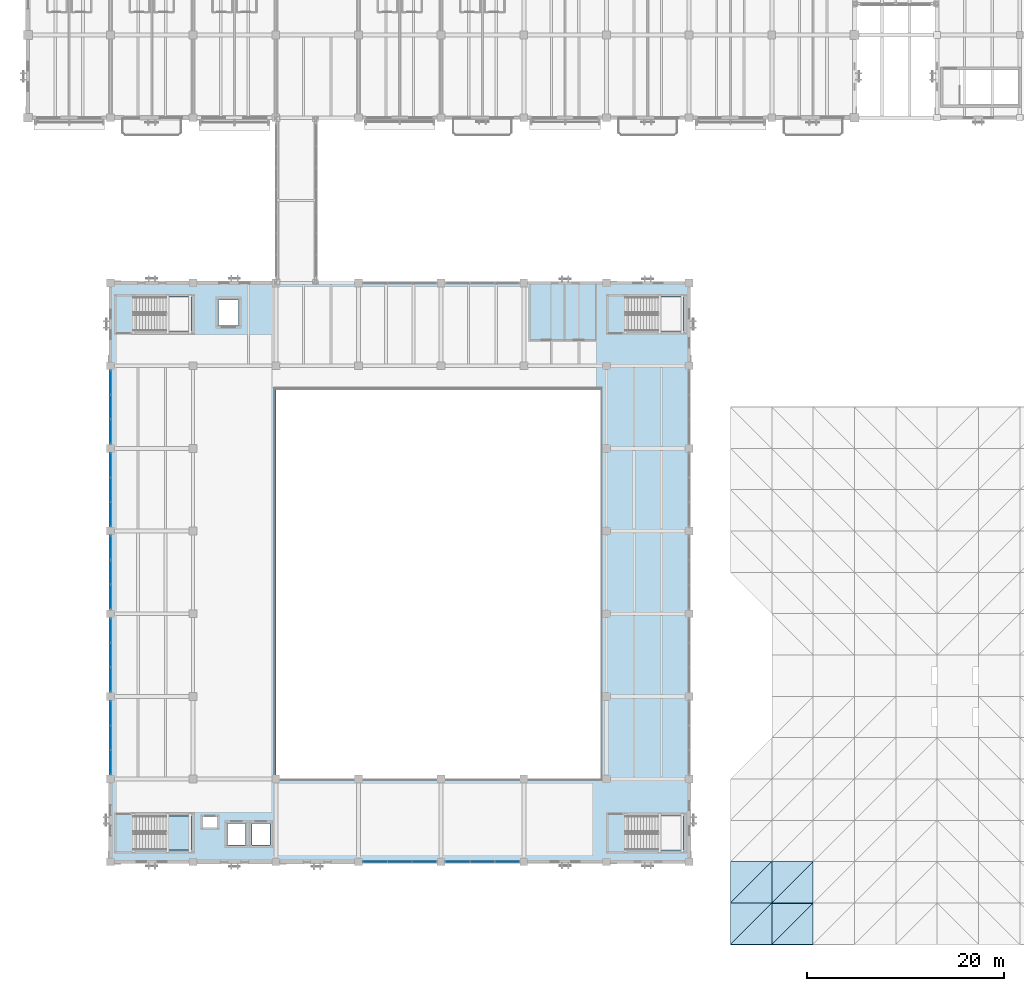
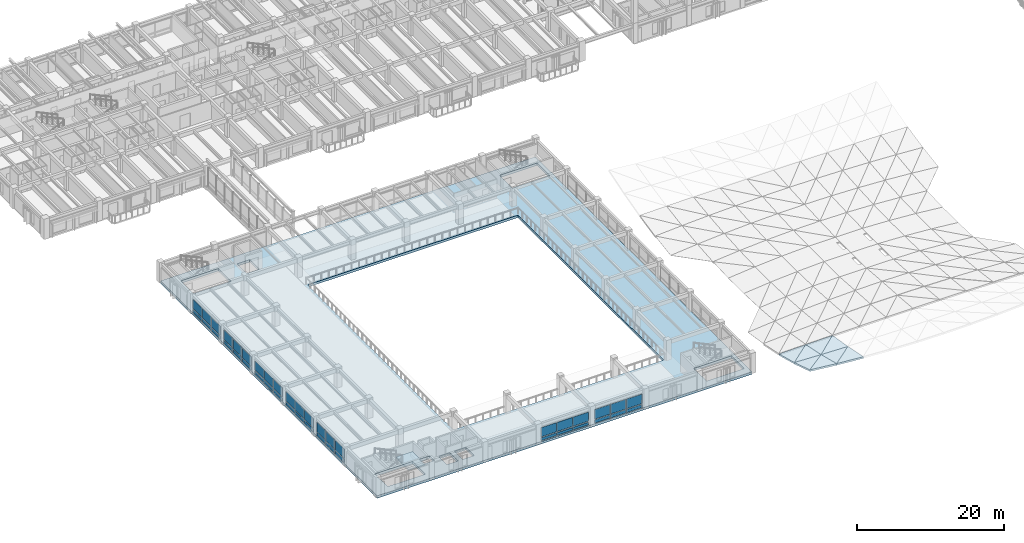
# One storey, part 61 of 123: 42 plates, 10 slabs, 8 elements without a shape of their own.
"""IFC4 building model written with IfcOpenShell, lengths in metres."""

from ifc_helpers import new_model, si_unit, direction, frame, origin, origin_2d, place, context, subcontext, project, spatial, polyline, rectangle, outline, extrude, material, layer, layer_set, type_object, element, aggregate, save


model = new_model("IFC4")

# Units and contexts
model_context = context("Model", 3, precision=1e-05, world=origin(), true_north=direction((0.0, 1.0)))
body_context = subcontext(model_context, "Body", "Model", "MODEL_VIEW")
ifc_project = project(units=[si_unit("LENGTHUNIT", "METRE"), si_unit("AREAUNIT", "SQUARE_METRE"), si_unit("VOLUMEUNIT", "CUBIC_METRE"), si_unit("PLANEANGLEUNIT", "RADIAN"), si_unit("MASSUNIT", "GRAM", prefix="KILO")], contexts=[model_context])

# Site, building, storey
site_placement = place(None, origin())
site = spatial("IfcSite", under=ifc_project, at=site_placement, CompositionType="ELEMENT")
building_placement = place(site_placement, origin())
building = spatial("IfcBuilding", under=site, at=building_placement, Name="Cumbredor Promenade Congress Hotel", CompositionType="ELEMENT")
storey_placement = place(building_placement, frame((0.0, 0.0, 11.760009765625)))
storey = spatial("IfcBuildingStorey", under=building, at=storey_placement, Name="L03", CompositionType="ELEMENT", Elevation=11.760009765625)

# Stair, slab
ifc_material_1 = material(Name="Concrete C40/50", Category="concrete")
stair_type = type_object("IfcStairType", Name="Protected Dog-Leg Exit Stair ST-T3 1650mm", PredefinedType="HALF_TURN_STAIR", material=ifc_material_1)
stair_placement = place(storey_placement, origin())
stair = element("IfcStair", 1, at=stair_placement, inside=storey, type_object=stair_type, Name="L03 Protected Exit Stair ST-04", PredefinedType="HALF_TURN_STAIR")
ifc_layer_1 = layer(ifc_material_1, 0.199951171875, Name="Concrete C40/50", Category="concrete")
ifc_layer_set_1 = layer_set([ifc_layer_1], Name="Concrete C40/50")
slab_type_1 = type_object("IfcSlabType", Name="Concrete Stair Landing Slab 200mm", PredefinedType="LANDING", material=ifc_layer_set_1)
slab_1_placement = place(storey_placement, frame((0.0, 0.0, 1.47998046875)))
slab_1 = element("IfcSlab", 2, at=slab_1_placement, type_object=slab_type_1, Name="ST-04 landing 1", PredefinedType="LANDING", context=body_context, shape_type="SweptSolid", body=[
    extrude(outline(polyline([(14.050048828125, 9.60009765625), (16.64990234375, 9.60009765625), (16.64990234375, 13.050048828125), (14.050048828125, 13.050048828125), (14.050048828125, 9.60009765625)])), origin(), (0.0, 0.0, 1.0), 0.199951171875),
])
aggregate(stair, [slab_1])

# Curtain wall, plates
ifc_material_2 = material(Name="Thermally broken anodized aluminium and low-E glass", Category="aluminium")
curtain_wall_type = type_object("IfcCurtainWallType", Name="Unitised Bronze Curtain Wall CW-01", PredefinedType="NOTDEFINED", material=ifc_material_2)
curtain_wall_1_placement = place(storey_placement, origin())
curtain_wall_1 = element("IfcCurtainWall", 3, at=curtain_wall_1_placement, inside=storey, type_object=curtain_wall_type, Name="L03 Plenary Congress Hall South Curtain Wall 5", PredefinedType="NOTDEFINED")
ifc_material_3 = material(Name="Laminated low-E solar-control glass", Category="glass")
ifc_layer_2 = layer(ifc_material_3, 0.028076171875, Name="Laminated low-E solar-control glass", Category="glass")
ifc_layer_set_2 = layer_set([ifc_layer_2], Name="Laminated low-E solar-control glass")
plate_type_1 = type_object("IfcPlateType", Name="Glazed Vision Panel PNL-01", PredefinedType="CURTAIN_PANEL", material=ifc_layer_set_2)
plate_1_placement = place(storey_placement, frame((43.703369140625, 8.39990234375, 0.784912109375), z_axis=(0.0, 0.0, 1.0), x_axis=(1.0, 0.0, 0.0)))
plate_1 = element("IfcPlate", 4, at=plate_1_placement, type_object=plate_type_1, Name="L03 Plenary Congress Hall South Curtain Wall 5 Glazing Panel 1.2", PredefinedType="CURTAIN_PANEL", context=body_context, shape_type="SweptSolid", body=[
    extrude(rectangle(XDim=2.431640625, YDim=0.028076171875, at=origin_2d()), origin(), (0.0, 0.0, 1.0), 1.580078125),
])
plate_2_placement = place(storey_placement, frame((46.199951171875, 8.39990234375, 0.784912109375), z_axis=(0.0, 0.0, 1.0), x_axis=(1.0, 0.0, 0.0)))
plate_2 = element("IfcPlate", 5, at=plate_2_placement, type_object=plate_type_1, Name="L03 Plenary Congress Hall South Curtain Wall 5 Glazing Panel 2.2", PredefinedType="CURTAIN_PANEL", context=body_context, shape_type="SweptSolid", body=[
    extrude(rectangle(XDim=2.431640625, YDim=0.028076171875, at=origin_2d()), origin(), (0.0, 0.0, 1.0), 1.580078125),
])
plate_3_placement = place(storey_placement, frame((48.69677734375, 8.39990234375, 0.784912109375), z_axis=(0.0, 0.0, 1.0), x_axis=(1.0, 0.0, 0.0)))
plate_3 = element("IfcPlate", 6, at=plate_3_placement, type_object=plate_type_1, Name="L03 Plenary Congress Hall South Curtain Wall 5 Glazing Panel 3.2", PredefinedType="CURTAIN_PANEL", context=body_context, shape_type="SweptSolid", body=[
    extrude(rectangle(XDim=2.431640625, YDim=0.028076171875, at=origin_2d()), origin(), (0.0, 0.0, 1.0), 1.580078125),
])

curtain_wall_2_placement = place(storey_placement, origin())
curtain_wall_2 = element("IfcCurtainWall", 7, at=curtain_wall_2_placement, inside=storey, type_object=curtain_wall_type, Name="L03 Plenary Congress Hall West Curtain Wall 2", PredefinedType="NOTDEFINED")
plate_4_placement = place(storey_placement, frame((8.39990234375, 18.50341796875, 0.784912109375), z_axis=(0.0, 0.0, 1.0), x_axis=(0.0, 1.0, 0.0)))
plate_4 = element("IfcPlate", 8, at=plate_4_placement, type_object=plate_type_1, Name="L03 Plenary Congress Hall West Curtain Wall 2 Glazing Panel 1.2", PredefinedType="CURTAIN_PANEL", context=body_context, shape_type="SweptSolid", body=[
    extrude(rectangle(XDim=2.431640625, YDim=0.028076171875, at=origin_2d()), origin(), (0.0, 0.0, 1.0), 1.580078125),
])
plate_5_placement = place(storey_placement, frame((8.39990234375, 21.0, 0.784912109375), z_axis=(0.0, 0.0, 1.0), x_axis=(0.0, 1.0, 0.0)))
plate_5 = element("IfcPlate", 9, at=plate_5_placement, type_object=plate_type_1, Name="L03 Plenary Congress Hall West Curtain Wall 2 Glazing Panel 2.2", PredefinedType="CURTAIN_PANEL", context=body_context, shape_type="SweptSolid", body=[
    extrude(rectangle(XDim=2.431640625, YDim=0.028076171875, at=origin_2d()), origin(), (0.0, 0.0, 1.0), 1.580078125),
])
plate_6_placement = place(storey_placement, frame((8.39990234375, 23.49658203125, 0.784912109375), z_axis=(0.0, 0.0, 1.0), x_axis=(0.0, 1.0, 0.0)))
plate_6 = element("IfcPlate", 10, at=plate_6_placement, type_object=plate_type_1, Name="L03 Plenary Congress Hall West Curtain Wall 2 Glazing Panel 3.2", PredefinedType="CURTAIN_PANEL", context=body_context, shape_type="SweptSolid", body=[
    extrude(rectangle(XDim=2.431640625, YDim=0.028076171875, at=origin_2d()), origin(), (0.0, 0.0, 1.0), 1.580078125),
])

curtain_wall_3_placement = place(storey_placement, origin())
curtain_wall_3 = element("IfcCurtainWall", 11, at=curtain_wall_3_placement, inside=storey, type_object=curtain_wall_type, Name="L03 Plenary Congress Hall West Curtain Wall 5", PredefinedType="NOTDEFINED")
plate_7_placement = place(storey_placement, frame((8.39990234375, 43.703369140625, 0.784912109375), z_axis=(0.0, 0.0, 1.0), x_axis=(0.0, 1.0, 0.0)))
plate_7 = element("IfcPlate", 12, at=plate_7_placement, type_object=plate_type_1, Name="L03 Plenary Congress Hall West Curtain Wall 5 Glazing Panel 1.2", PredefinedType="CURTAIN_PANEL", context=body_context, shape_type="SweptSolid", body=[
    extrude(rectangle(XDim=2.431640625, YDim=0.028076171875, at=origin_2d()), origin(), (0.0, 0.0, 1.0), 1.580078125),
])
plate_8_placement = place(storey_placement, frame((8.39990234375, 46.199951171875, 0.784912109375), z_axis=(0.0, 0.0, 1.0), x_axis=(0.0, 1.0, 0.0)))
plate_8 = element("IfcPlate", 13, at=plate_8_placement, type_object=plate_type_1, Name="L03 Plenary Congress Hall West Curtain Wall 5 Glazing Panel 2.2", PredefinedType="CURTAIN_PANEL", context=body_context, shape_type="SweptSolid", body=[
    extrude(rectangle(XDim=2.431640625, YDim=0.028076171875, at=origin_2d()), origin(), (0.0, 0.0, 1.0), 1.580078125),
])
plate_9_placement = place(storey_placement, frame((8.39990234375, 48.69677734375, 0.784912109375), z_axis=(0.0, 0.0, 1.0), x_axis=(0.0, 1.0, 0.0)))
plate_9 = element("IfcPlate", 14, at=plate_9_placement, type_object=plate_type_1, Name="L03 Plenary Congress Hall West Curtain Wall 5 Glazing Panel 3.2", PredefinedType="CURTAIN_PANEL", context=body_context, shape_type="SweptSolid", body=[
    extrude(rectangle(XDim=2.431640625, YDim=0.028076171875, at=origin_2d()), origin(), (0.0, 0.0, 1.0), 1.580078125),
])

curtain_wall_4_placement = place(storey_placement, origin())
curtain_wall_4 = element("IfcCurtainWall", 15, at=curtain_wall_4_placement, inside=storey, type_object=curtain_wall_type, Name="L03 Plenary Congress Hall West Curtain Wall 3", PredefinedType="NOTDEFINED")
ifc_layer_3 = layer(ifc_material_3, 0.031982421875, Name="Laminated low-E solar-control glass", Category="glass")
ifc_layer_set_3 = layer_set([ifc_layer_3], Name="Laminated low-E solar-control glass")
plate_type_2 = type_object("IfcPlateType", Name="Glazed Vision Panel PNL-02", PredefinedType="CURTAIN_PANEL", material=ifc_layer_set_3)
plate_10_placement = place(storey_placement, frame((8.39990234375, 26.9033203125, 0.794921875), z_axis=(0.0, 0.0, 1.0), x_axis=(0.0, 1.0, 0.0)))
plate_10 = element("IfcPlate", 16, at=plate_10_placement, type_object=plate_type_2, Name="L03 Plenary Congress Hall West Curtain Wall 3 Glazing Panel 1.2", PredefinedType="CURTAIN_PANEL", context=body_context, shape_type="SweptSolid", body=[
    extrude(rectangle(XDim=2.421630859375, YDim=0.031982421875, at=origin_2d()), origin(), (0.0, 0.0, 1.0), 1.550048828125),
])
plate_11_placement = place(storey_placement, frame((8.39990234375, 29.39990234375, 0.794921875), z_axis=(0.0, 0.0, 1.0), x_axis=(0.0, 1.0, 0.0)))
plate_11 = element("IfcPlate", 17, at=plate_11_placement, type_object=plate_type_2, Name="L03 Plenary Congress Hall West Curtain Wall 3 Glazing Panel 2.2", PredefinedType="CURTAIN_PANEL", context=body_context, shape_type="SweptSolid", body=[
    extrude(rectangle(XDim=2.421630859375, YDim=0.031982421875, at=origin_2d()), origin(), (0.0, 0.0, 1.0), 1.550048828125),
])
plate_12_placement = place(storey_placement, frame((8.39990234375, 31.896728515625, 0.794921875), z_axis=(0.0, 0.0, 1.0), x_axis=(0.0, 1.0, 0.0)))
plate_12 = element("IfcPlate", 18, at=plate_12_placement, type_object=plate_type_2, Name="L03 Plenary Congress Hall West Curtain Wall 3 Glazing Panel 3.2", PredefinedType="CURTAIN_PANEL", context=body_context, shape_type="SweptSolid", body=[
    extrude(rectangle(XDim=2.421630859375, YDim=0.031982421875, at=origin_2d()), origin(), (0.0, 0.0, 1.0), 1.550048828125),
])

curtain_wall_5_placement = place(storey_placement, origin())
curtain_wall_5 = element("IfcCurtainWall", 19, at=curtain_wall_5_placement, inside=storey, type_object=curtain_wall_type, Name="L03 Plenary Congress Hall West Curtain Wall 6", PredefinedType="NOTDEFINED")
plate_13_placement = place(storey_placement, frame((8.39990234375, 52.103271484375, 0.794921875), z_axis=(0.0, 0.0, 1.0), x_axis=(0.0, 1.0, 0.0)))
plate_13 = element("IfcPlate", 20, at=plate_13_placement, type_object=plate_type_2, Name="L03 Plenary Congress Hall West Curtain Wall 6 Glazing Panel 1.2", PredefinedType="CURTAIN_PANEL", context=body_context, shape_type="SweptSolid", body=[
    extrude(rectangle(XDim=2.421630859375, YDim=0.031982421875, at=origin_2d()), origin(), (0.0, 0.0, 1.0), 1.550048828125),
])
plate_14_placement = place(storey_placement, frame((8.39990234375, 54.60009765625, 0.794921875), z_axis=(0.0, 0.0, 1.0), x_axis=(0.0, 1.0, 0.0)))
plate_14 = element("IfcPlate", 21, at=plate_14_placement, type_object=plate_type_2, Name="L03 Plenary Congress Hall West Curtain Wall 6 Glazing Panel 2.2", PredefinedType="CURTAIN_PANEL", context=body_context, shape_type="SweptSolid", body=[
    extrude(rectangle(XDim=2.421630859375, YDim=0.031982421875, at=origin_2d()), origin(), (0.0, 0.0, 1.0), 1.550048828125),
])
plate_15_placement = place(storey_placement, frame((8.39990234375, 57.0966796875, 0.794921875), z_axis=(0.0, 0.0, 1.0), x_axis=(0.0, 1.0, 0.0)))
plate_15 = element("IfcPlate", 22, at=plate_15_placement, type_object=plate_type_2, Name="L03 Plenary Congress Hall West Curtain Wall 6 Glazing Panel 3.2", PredefinedType="CURTAIN_PANEL", context=body_context, shape_type="SweptSolid", body=[
    extrude(rectangle(XDim=2.421630859375, YDim=0.031982421875, at=origin_2d()), origin(), (0.0, 0.0, 1.0), 1.550048828125),
])

curtain_wall_6_placement = place(storey_placement, origin())
curtain_wall_6 = element("IfcCurtainWall", 23, at=curtain_wall_6_placement, inside=storey, type_object=curtain_wall_type, Name="L03 Plenary Congress Hall South Curtain Wall 4", PredefinedType="NOTDEFINED")
ifc_layer_4 = layer(ifc_material_3, 0.028076171875, Name="Laminated low-E solar-control glass", Category="glass")
ifc_layer_set_4 = layer_set([ifc_layer_4], Name="Laminated low-E solar-control glass")
plate_type_3 = type_object("IfcPlateType", Name="Glazed Vision Panel PNL-03", PredefinedType="CURTAIN_PANEL", material=ifc_layer_set_4)
plate_16_placement = place(storey_placement, frame((35.30322265625, 8.39990234375, 0.81005859375), z_axis=(0.0, 0.0, 1.0), x_axis=(1.0, 0.0, 0.0)))
plate_16 = element("IfcPlate", 24, at=plate_16_placement, type_object=plate_type_3, Name="L03 Plenary Congress Hall South Curtain Wall 4 Glazing Panel 1.2", PredefinedType="CURTAIN_PANEL", context=body_context, shape_type="SweptSolid", body=[
    extrude(rectangle(XDim=2.416748046875, YDim=0.028076171875, at=origin_2d()), origin(), (0.0, 0.0, 1.0), 1.5),
])
plate_17_placement = place(storey_placement, frame((37.800048828125, 8.39990234375, 0.81005859375), z_axis=(0.0, 0.0, 1.0), x_axis=(1.0, 0.0, 0.0)))
plate_17 = element("IfcPlate", 25, at=plate_17_placement, type_object=plate_type_3, Name="L03 Plenary Congress Hall South Curtain Wall 4 Glazing Panel 2.2", PredefinedType="CURTAIN_PANEL", context=body_context, shape_type="SweptSolid", body=[
    extrude(rectangle(XDim=2.41650390625, YDim=0.028076171875, at=origin_2d()), origin(), (0.0, 0.0, 1.0), 1.5),
])
plate_18_placement = place(storey_placement, frame((40.296630859375, 8.39990234375, 0.81005859375), z_axis=(0.0, 0.0, 1.0), x_axis=(1.0, 0.0, 0.0)))
plate_18 = element("IfcPlate", 26, at=plate_18_placement, type_object=plate_type_3, Name="L03 Plenary Congress Hall South Curtain Wall 4 Glazing Panel 3.2", PredefinedType="CURTAIN_PANEL", context=body_context, shape_type="SweptSolid", body=[
    extrude(rectangle(XDim=2.416748046875, YDim=0.028076171875, at=origin_2d()), origin(), (0.0, 0.0, 1.0), 1.5),
])

curtain_wall_7_placement = place(storey_placement, origin())
curtain_wall_7 = element("IfcCurtainWall", 27, at=curtain_wall_7_placement, inside=storey, type_object=curtain_wall_type, Name="L03 Plenary Congress Hall West Curtain Wall 4", PredefinedType="NOTDEFINED")
plate_19_placement = place(storey_placement, frame((8.39990234375, 35.30322265625, 0.81005859375), z_axis=(0.0, 0.0, 1.0), x_axis=(0.0, 1.0, 0.0)))
plate_19 = element("IfcPlate", 28, at=plate_19_placement, type_object=plate_type_3, Name="L03 Plenary Congress Hall West Curtain Wall 4 Glazing Panel 1.2", PredefinedType="CURTAIN_PANEL", context=body_context, shape_type="SweptSolid", body=[
    extrude(rectangle(XDim=2.416748046875, YDim=0.028076171875, at=origin_2d()), origin(), (0.0, 0.0, 1.0), 1.5),
])
plate_20_placement = place(storey_placement, frame((8.39990234375, 37.800048828125, 0.81005859375), z_axis=(0.0, 0.0, 1.0), x_axis=(0.0, 1.0, 0.0)))
plate_20 = element("IfcPlate", 29, at=plate_20_placement, type_object=plate_type_3, Name="L03 Plenary Congress Hall West Curtain Wall 4 Glazing Panel 2.2", PredefinedType="CURTAIN_PANEL", context=body_context, shape_type="SweptSolid", body=[
    extrude(rectangle(XDim=2.41650390625, YDim=0.028076171875, at=origin_2d()), origin(), (0.0, 0.0, 1.0), 1.5),
])
plate_21_placement = place(storey_placement, frame((8.39990234375, 40.296630859375, 0.81005859375), z_axis=(0.0, 0.0, 1.0), x_axis=(0.0, 1.0, 0.0)))
plate_21 = element("IfcPlate", 30, at=plate_21_placement, type_object=plate_type_3, Name="L03 Plenary Congress Hall West Curtain Wall 4 Glazing Panel 3.2", PredefinedType="CURTAIN_PANEL", context=body_context, shape_type="SweptSolid", body=[
    extrude(rectangle(XDim=2.416748046875, YDim=0.028076171875, at=origin_2d()), origin(), (0.0, 0.0, 1.0), 1.5),
])

# Plate
ifc_material_4 = material(Name="Thermally broken anodized aluminium", Category="aluminium")
ifc_layer_5 = layer(ifc_material_4, 0.0400390625, Name="Thermally broken anodized aluminium", Category="aluminium")
ifc_layer_set_5 = layer_set([ifc_layer_5], Name="Thermally broken anodized aluminium")
plate_type_4 = type_object("IfcPlateType", Name="Insulated Spandrel Panel PNL-05", PredefinedType="CURTAIN_PANEL", material=ifc_layer_set_5)
plate_22_placement = place(storey_placement, frame((35.30322265625, 8.39990234375, 0.18017578125), z_axis=(0.0, 0.0, 1.0), x_axis=(1.0, 0.0, 0.0)))
plate_22 = element("IfcPlate", 31, at=plate_22_placement, type_object=plate_type_4, Name="L03 Plenary Congress Hall South Curtain Wall 4 Spandrel Panel 1.1", PredefinedType="CURTAIN_PANEL", context=body_context, shape_type="SweptSolid", body=[
    extrude(rectangle(XDim=2.416748046875, YDim=0.0400390625, at=origin_2d()), origin(), (0.0, 0.0, 1.0), 0.449951171875),
])

plate_23_placement = place(storey_placement, frame((37.800048828125, 8.39990234375, 0.18017578125), z_axis=(0.0, 0.0, 1.0), x_axis=(1.0, 0.0, 0.0)))
plate_23 = element("IfcPlate", 32, at=plate_23_placement, type_object=plate_type_4, Name="L03 Plenary Congress Hall South Curtain Wall 4 Spandrel Panel 2.1", PredefinedType="CURTAIN_PANEL", context=body_context, shape_type="SweptSolid", body=[
    extrude(rectangle(XDim=2.41650390625, YDim=0.0400390625, at=origin_2d()), origin(), (0.0, 0.0, 1.0), 0.449951171875),
])

plate_24_placement = place(storey_placement, frame((40.296630859375, 8.39990234375, 0.18017578125), z_axis=(0.0, 0.0, 1.0), x_axis=(1.0, 0.0, 0.0)))
plate_24 = element("IfcPlate", 33, at=plate_24_placement, type_object=plate_type_4, Name="L03 Plenary Congress Hall South Curtain Wall 4 Spandrel Panel 3.1", PredefinedType="CURTAIN_PANEL", context=body_context, shape_type="SweptSolid", body=[
    extrude(rectangle(XDim=2.416748046875, YDim=0.0400390625, at=origin_2d()), origin(), (0.0, 0.0, 1.0), 0.449951171875),
])

aggregate(curtain_wall_6, [plate_22, plate_16, plate_23, plate_17, plate_24, plate_18])

plate_25_placement = place(storey_placement, frame((8.39990234375, 18.50341796875, 0.125), z_axis=(0.0, 0.0, 1.0), x_axis=(0.0, 1.0, 0.0)))
plate_25 = element("IfcPlate", 34, at=plate_25_placement, type_object=plate_type_4, Name="L03 Plenary Congress Hall West Curtain Wall 2 Spandrel Panel 1.1", PredefinedType="CURTAIN_PANEL", context=body_context, shape_type="SweptSolid", body=[
    extrude(rectangle(XDim=2.431640625, YDim=0.0400390625, at=origin_2d()), origin(), (0.0, 0.0, 1.0), 0.530029296875),
])

plate_26_placement = place(storey_placement, frame((8.39990234375, 21.0, 0.125), z_axis=(0.0, 0.0, 1.0), x_axis=(0.0, 1.0, 0.0)))
plate_26 = element("IfcPlate", 35, at=plate_26_placement, type_object=plate_type_4, Name="L03 Plenary Congress Hall West Curtain Wall 2 Spandrel Panel 2.1", PredefinedType="CURTAIN_PANEL", context=body_context, shape_type="SweptSolid", body=[
    extrude(rectangle(XDim=2.431640625, YDim=0.0400390625, at=origin_2d()), origin(), (0.0, 0.0, 1.0), 0.530029296875),
])

plate_27_placement = place(storey_placement, frame((8.39990234375, 23.49658203125, 0.125), z_axis=(0.0, 0.0, 1.0), x_axis=(0.0, 1.0, 0.0)))
plate_27 = element("IfcPlate", 36, at=plate_27_placement, type_object=plate_type_4, Name="L03 Plenary Congress Hall West Curtain Wall 2 Spandrel Panel 3.1", PredefinedType="CURTAIN_PANEL", context=body_context, shape_type="SweptSolid", body=[
    extrude(rectangle(XDim=2.431640625, YDim=0.0400390625, at=origin_2d()), origin(), (0.0, 0.0, 1.0), 0.530029296875),
])

aggregate(curtain_wall_2, [plate_25, plate_4, plate_26, plate_5, plate_27, plate_6])

plate_28_placement = place(storey_placement, frame((8.39990234375, 35.30322265625, 0.18017578125), z_axis=(0.0, 0.0, 1.0), x_axis=(0.0, 1.0, 0.0)))
plate_28 = element("IfcPlate", 37, at=plate_28_placement, type_object=plate_type_4, Name="L03 Plenary Congress Hall West Curtain Wall 4 Spandrel Panel 1.1", PredefinedType="CURTAIN_PANEL", context=body_context, shape_type="SweptSolid", body=[
    extrude(rectangle(XDim=2.416748046875, YDim=0.0400390625, at=origin_2d()), origin(), (0.0, 0.0, 1.0), 0.449951171875),
])

plate_29_placement = place(storey_placement, frame((8.39990234375, 37.800048828125, 0.18017578125), z_axis=(0.0, 0.0, 1.0), x_axis=(0.0, 1.0, 0.0)))
plate_29 = element("IfcPlate", 38, at=plate_29_placement, type_object=plate_type_4, Name="L03 Plenary Congress Hall West Curtain Wall 4 Spandrel Panel 2.1", PredefinedType="CURTAIN_PANEL", context=body_context, shape_type="SweptSolid", body=[
    extrude(rectangle(XDim=2.41650390625, YDim=0.0400390625, at=origin_2d()), origin(), (0.0, 0.0, 1.0), 0.449951171875),
])

plate_30_placement = place(storey_placement, frame((8.39990234375, 40.296630859375, 0.18017578125), z_axis=(0.0, 0.0, 1.0), x_axis=(0.0, 1.0, 0.0)))
plate_30 = element("IfcPlate", 39, at=plate_30_placement, type_object=plate_type_4, Name="L03 Plenary Congress Hall West Curtain Wall 4 Spandrel Panel 3.1", PredefinedType="CURTAIN_PANEL", context=body_context, shape_type="SweptSolid", body=[
    extrude(rectangle(XDim=2.416748046875, YDim=0.0400390625, at=origin_2d()), origin(), (0.0, 0.0, 1.0), 0.449951171875),
])

aggregate(curtain_wall_7, [plate_28, plate_19, plate_29, plate_20, plate_30, plate_21])

plate_31_placement = place(storey_placement, frame((8.39990234375, 52.103271484375, 0.14501953125), z_axis=(0.0, 0.0, 1.0), x_axis=(0.0, 1.0, 0.0)))
plate_31 = element("IfcPlate", 40, at=plate_31_placement, type_object=plate_type_4, Name="L03 Plenary Congress Hall West Curtain Wall 6 Spandrel Panel 1.1", PredefinedType="CURTAIN_PANEL", context=body_context, shape_type="SweptSolid", body=[
    extrude(rectangle(XDim=2.421630859375, YDim=0.0400390625, at=origin_2d()), origin(), (0.0, 0.0, 1.0), 0.5),
])

plate_32_placement = place(storey_placement, frame((8.39990234375, 54.60009765625, 0.14501953125), z_axis=(0.0, 0.0, 1.0), x_axis=(0.0, 1.0, 0.0)))
plate_32 = element("IfcPlate", 41, at=plate_32_placement, type_object=plate_type_4, Name="L03 Plenary Congress Hall West Curtain Wall 6 Spandrel Panel 2.1", PredefinedType="CURTAIN_PANEL", context=body_context, shape_type="SweptSolid", body=[
    extrude(rectangle(XDim=2.421630859375, YDim=0.0400390625, at=origin_2d()), origin(), (0.0, 0.0, 1.0), 0.5),
])

plate_33_placement = place(storey_placement, frame((8.39990234375, 57.0966796875, 0.14501953125), z_axis=(0.0, 0.0, 1.0), x_axis=(0.0, 1.0, 0.0)))
plate_33 = element("IfcPlate", 42, at=plate_33_placement, type_object=plate_type_4, Name="L03 Plenary Congress Hall West Curtain Wall 6 Spandrel Panel 3.1", PredefinedType="CURTAIN_PANEL", context=body_context, shape_type="SweptSolid", body=[
    extrude(rectangle(XDim=2.421630859375, YDim=0.0400390625, at=origin_2d()), origin(), (0.0, 0.0, 1.0), 0.5),
])

aggregate(curtain_wall_5, [plate_31, plate_13, plate_32, plate_14, plate_33, plate_15])

ifc_layer_6 = layer(ifc_material_4, 0.0400390625, Name="Thermally broken anodized aluminium", Category="aluminium")
ifc_layer_set_6 = layer_set([ifc_layer_6], Name="Thermally broken anodized aluminium")
plate_type_5 = type_object("IfcPlateType", Name="Insulated Spandrel Panel PNL-06", PredefinedType="CURTAIN_PANEL", material=ifc_layer_set_6)
plate_34_placement = place(storey_placement, frame((43.703369140625, 8.39990234375, 0.125), z_axis=(0.0, 0.0, 1.0), x_axis=(1.0, 0.0, 0.0)))
plate_34 = element("IfcPlate", 43, at=plate_34_placement, type_object=plate_type_5, Name="L03 Plenary Congress Hall South Curtain Wall 5 Spandrel Panel 1.1", PredefinedType="CURTAIN_PANEL", context=body_context, shape_type="SweptSolid", body=[
    extrude(rectangle(XDim=2.431640625, YDim=0.0400390625, at=origin_2d()), origin(), (0.0, 0.0, 1.0), 0.530029296875),
])

plate_35_placement = place(storey_placement, frame((46.199951171875, 8.39990234375, 0.125), z_axis=(0.0, 0.0, 1.0), x_axis=(1.0, 0.0, 0.0)))
plate_35 = element("IfcPlate", 44, at=plate_35_placement, type_object=plate_type_5, Name="L03 Plenary Congress Hall South Curtain Wall 5 Spandrel Panel 2.1", PredefinedType="CURTAIN_PANEL", context=body_context, shape_type="SweptSolid", body=[
    extrude(rectangle(XDim=2.431640625, YDim=0.0400390625, at=origin_2d()), origin(), (0.0, 0.0, 1.0), 0.530029296875),
])

plate_36_placement = place(storey_placement, frame((48.69677734375, 8.39990234375, 0.125), z_axis=(0.0, 0.0, 1.0), x_axis=(1.0, 0.0, 0.0)))
plate_36 = element("IfcPlate", 45, at=plate_36_placement, type_object=plate_type_5, Name="L03 Plenary Congress Hall South Curtain Wall 5 Spandrel Panel 3.1", PredefinedType="CURTAIN_PANEL", context=body_context, shape_type="SweptSolid", body=[
    extrude(rectangle(XDim=2.431640625, YDim=0.0400390625, at=origin_2d()), origin(), (0.0, 0.0, 1.0), 0.530029296875),
])

aggregate(curtain_wall_1, [plate_34, plate_1, plate_35, plate_2, plate_36, plate_3])

plate_37_placement = place(storey_placement, frame((8.39990234375, 26.9033203125, 0.14501953125), z_axis=(0.0, 0.0, 1.0), x_axis=(0.0, 1.0, 0.0)))
plate_37 = element("IfcPlate", 46, at=plate_37_placement, type_object=plate_type_5, Name="L03 Plenary Congress Hall West Curtain Wall 3 Spandrel Panel 1.1", PredefinedType="CURTAIN_PANEL", context=body_context, shape_type="SweptSolid", body=[
    extrude(rectangle(XDim=2.421630859375, YDim=0.0400390625, at=origin_2d()), origin(), (0.0, 0.0, 1.0), 0.5),
])

plate_38_placement = place(storey_placement, frame((8.39990234375, 29.39990234375, 0.14501953125), z_axis=(0.0, 0.0, 1.0), x_axis=(0.0, 1.0, 0.0)))
plate_38 = element("IfcPlate", 47, at=plate_38_placement, type_object=plate_type_5, Name="L03 Plenary Congress Hall West Curtain Wall 3 Spandrel Panel 2.1", PredefinedType="CURTAIN_PANEL", context=body_context, shape_type="SweptSolid", body=[
    extrude(rectangle(XDim=2.421630859375, YDim=0.0400390625, at=origin_2d()), origin(), (0.0, 0.0, 1.0), 0.5),
])

plate_39_placement = place(storey_placement, frame((8.39990234375, 31.896728515625, 0.14501953125), z_axis=(0.0, 0.0, 1.0), x_axis=(0.0, 1.0, 0.0)))
plate_39 = element("IfcPlate", 48, at=plate_39_placement, type_object=plate_type_5, Name="L03 Plenary Congress Hall West Curtain Wall 3 Spandrel Panel 3.1", PredefinedType="CURTAIN_PANEL", context=body_context, shape_type="SweptSolid", body=[
    extrude(rectangle(XDim=2.421630859375, YDim=0.0400390625, at=origin_2d()), origin(), (0.0, 0.0, 1.0), 0.5),
])

aggregate(curtain_wall_4, [plate_37, plate_10, plate_38, plate_11, plate_39, plate_12])

plate_40_placement = place(storey_placement, frame((8.39990234375, 43.703369140625, 0.125), z_axis=(0.0, 0.0, 1.0), x_axis=(0.0, 1.0, 0.0)))
plate_40 = element("IfcPlate", 49, at=plate_40_placement, type_object=plate_type_5, Name="L03 Plenary Congress Hall West Curtain Wall 5 Spandrel Panel 1.1", PredefinedType="CURTAIN_PANEL", context=body_context, shape_type="SweptSolid", body=[
    extrude(rectangle(XDim=2.431640625, YDim=0.0400390625, at=origin_2d()), origin(), (0.0, 0.0, 1.0), 0.530029296875),
])

plate_41_placement = place(storey_placement, frame((8.39990234375, 46.199951171875, 0.125), z_axis=(0.0, 0.0, 1.0), x_axis=(0.0, 1.0, 0.0)))
plate_41 = element("IfcPlate", 50, at=plate_41_placement, type_object=plate_type_5, Name="L03 Plenary Congress Hall West Curtain Wall 5 Spandrel Panel 2.1", PredefinedType="CURTAIN_PANEL", context=body_context, shape_type="SweptSolid", body=[
    extrude(rectangle(XDim=2.431640625, YDim=0.0400390625, at=origin_2d()), origin(), (0.0, 0.0, 1.0), 0.530029296875),
])

plate_42_placement = place(storey_placement, frame((8.39990234375, 48.69677734375, 0.125), z_axis=(0.0, 0.0, 1.0), x_axis=(0.0, 1.0, 0.0)))
plate_42 = element("IfcPlate", 51, at=plate_42_placement, type_object=plate_type_5, Name="L03 Plenary Congress Hall West Curtain Wall 5 Spandrel Panel 3.1", PredefinedType="CURTAIN_PANEL", context=body_context, shape_type="SweptSolid", body=[
    extrude(rectangle(XDim=2.431640625, YDim=0.0400390625, at=origin_2d()), origin(), (0.0, 0.0, 1.0), 0.530029296875),
])

aggregate(curtain_wall_3, [plate_40, plate_7, plate_41, plate_8, plate_42, plate_9])

# Slabs
ifc_layer_7 = layer(ifc_material_1, 0.2451171875, Name="Concrete C40/50", Category="concrete")
ifc_layer_set_7 = layer_set([ifc_layer_7], Name="Concrete C40/50")
slab_type_2 = type_object("IfcSlabType", Name="Spa Catenary Roof Deck 245mm", PredefinedType="ROOF", material=ifc_layer_set_7)
slab_2_placement = place(storey_placement, frame((71.39990234375, 0.0, 3.93994140625), z_axis=(0.099213272197, 0.243252105087, 0.964875712199), x_axis=(0.994755071837, 0.0, -0.102285615094)))
element("IfcSlab", 52, at=slab_2_placement, inside=storey, type_object=slab_type_2, Name="Thermal Spa and Hydrotherapy Pavilion Sweeping Roof Deck Facet 1.1.1", PredefinedType="ROOF", context=body_context, shape_type="SweptSolid", body=[
    extrude(outline(polyline([(0.0, 0.0), (4.222341188715797, -1.3877787807814457e-17), (4.3306450736433275, 4.330011292510331), (0.0, 0.0)])), origin(), (0.0, 0.0, -1.0), 0.2451171875),
])
slab_3_placement = place(storey_placement, frame((71.39990234375, 0.0, 3.93994140625), z_axis=(0.035319999334, 0.302728813285, 0.952422051012), x_axis=(0.685857157763, 0.685817291618, -0.24342268108)))
element("IfcSlab", 53, at=slab_3_placement, inside=storey, type_object=slab_type_2, Name="Thermal Spa and Hydrotherapy Pavilion Sweeping Roof Deck Facet 1.1.2", PredefinedType="ROOF", context=body_context, shape_type="SweptSolid", body=[
    extrude(outline(polyline([(0.0, 0.0), (6.12400886243139, 5.551115123125783e-16), (3.205358908164724, 3.0244643857440474), (0.0, 0.0)])), origin(), (0.0, 0.0, -1.0), 0.2451171875),
])
slab_4_placement = place(storey_placement, frame((71.39990234375, 4.199951171875, 2.60498046875), z_axis=(0.036268318248, 0.205456616586, 0.97799396102), x_axis=(0.999313082109, 0.0, -0.03705892504)))
element("IfcSlab", 54, at=slab_4_placement, inside=storey, type_object=slab_type_2, Name="Thermal Spa and Hydrotherapy Pavilion Sweeping Roof Deck Facet 1.2.1", PredefinedType="ROOF", context=body_context, shape_type="SweptSolid", body=[
    extrude(outline(polyline([(0.0, 0.0), (4.203082485054859, 0.0), (4.2357804721383685, 4.291505180559342), (0.0, 0.0)])), origin(), (0.0, 0.0, -1.0), 0.2451171875),
])
slab_5_placement = place(storey_placement, frame((71.39990234375, 4.199951171875, 2.60498046875), z_axis=(-0.017078932493, 0.255974143359, 0.966532745434), x_axis=(0.696569411375, 0.696528922569, -0.17215840137)))
element("IfcSlab", 55, at=slab_5_placement, inside=storey, type_object=slab_type_2, Name="Thermal Spa and Hydrotherapy Pavilion Sweeping Roof Deck Facet 1.2.2", PredefinedType="ROOF", context=body_context, shape_type="SweptSolid", body=[
    extrude(outline(polyline([(0.0, 0.0), (6.029830256559169, -2.498001805406602e-16), (3.11688006142447, 3.026858147760356), (0.0, 0.0)])), origin(), (0.0, 0.0, -1.0), 0.2451171875),
])
slab_6_placement = place(storey_placement, frame((75.60009765625, 0.0, 3.508056640625), z_axis=(0.078234824353, 0.196410884377, 0.977395557979), x_axis=(0.99681177698, 0.0, -0.079788979649)))
element("IfcSlab", 56, at=slab_6_placement, inside=storey, type_object=slab_type_2, Name="Thermal Spa and Hydrotherapy Pavilion Sweeping Roof Deck Facet 2.1.1", PredefinedType="ROOF", context=body_context, shape_type="SweptSolid", body=[
    extrude(outline(polyline([(0.0, 0.0), (4.213384380949298, 0.0), (4.280725812259506, 4.283384302998345), (0.0, 0.0)])), origin(), (0.0, 0.0, -1.0), 0.2451171875),
])
slab_7_placement = place(storey_placement, frame((75.60009765625, 0.0, 3.508056640625), z_axis=(0.028002787108, 0.244362349468, 0.969279570649), x_axis=(0.693548721637, 0.693548721637, -0.19488545721)))
element("IfcSlab", 57, at=slab_7_placement, inside=storey, type_object=slab_type_2, Name="Thermal Spa and Hydrotherapy Pavilion Sweeping Roof Deck Facet 2.1.2", PredefinedType="ROOF", context=body_context, shape_type="SweptSolid", body=[
    extrude(outline(polyline([(0.0, 0.0), (6.055740629098757, -2.220446049250313e-16), (3.119222872616792, 3.005191540601303), (0.0, 0.0)])), origin(), (0.0, 0.0, -1.0), 0.2451171875),
])
slab_8_placement = place(storey_placement, frame((75.60009765625, 4.199951171875, 2.44921875), z_axis=(0.028481942239, 0.165103572615, 0.985864894028), x_axis=(0.999582936058, 0.0, -0.028878260723)))
element("IfcSlab", 58, at=slab_8_placement, inside=storey, type_object=slab_type_2, Name="Thermal Spa and Hydrotherapy Pavilion Sweeping Roof Deck Facet 2.2.1", PredefinedType="ROOF", context=body_context, shape_type="SweptSolid", body=[
    extrude(outline(polyline([(0.0, 0.0), (4.20170355092259, -3.469446951953614e-18), (4.2220156283501895, 4.258392350832449), (0.0, 0.0)])), origin(), (0.0, 0.0, -1.0), 0.2451171875),
])
slab_9_placement = place(storey_placement, frame((75.60009765625, 4.199951171875, 2.44921875), z_axis=(-0.013424269813, 0.205573352129, 0.978549633833), x_axis=(0.700387679443, 0.700387679443, -0.137528895028)))
element("IfcSlab", 59, at=slab_9_placement, inside=storey, type_object=slab_type_2, Name="Thermal Spa and Hydrotherapy Pavilion Sweeping Roof Deck Facet 2.2.2", PredefinedType="ROOF", context=body_context, shape_type="SweptSolid", body=[
    extrude(outline(polyline([(0.0, 0.0), (5.99660915682034, -2.220446049250313e-16), (3.0629391299063045, 3.0060754747038194), (0.0, 0.0)])), origin(), (0.0, 0.0, -1.0), 0.2451171875),
])
ifc_layer_8 = layer(ifc_material_1, 0.39990234375, Name="Concrete C40/50", Category="concrete")
ifc_layer_set_8 = layer_set([ifc_layer_8], Name="Concrete C40/50")
slab_type_3 = type_object("IfcSlabType", Name="Transfer Floor Slab 400mm", PredefinedType="FLOOR", material=ifc_layer_set_8)
slab_10_placement = place(storey_placement, frame((0.0, 0.0, -0.39990234375)))
element("IfcSlab", 60, at=slab_10_placement, inside=storey, type_object=slab_type_3, Name="L03 Plenary Congress Hall Floor Slab", PredefinedType="FLOOR", context=body_context, shape_type="SweptSolid", body=[
    extrude(outline(polyline([(8.39990234375, 8.39990234375), (67.199951171875, 8.39990234375), (67.199951171875, 67.199951171875), (8.39990234375, 67.199951171875), (8.39990234375, 8.39990234375)]), holes=[polyline([(10.75, 9.60009765625), (16.64990234375, 9.60009765625), (16.64990234375, 13.050048828125), (10.75, 13.050048828125), (10.75, 9.60009765625)]), polyline([(60.75, 9.60009765625), (66.64990234375, 9.60009765625), (66.64990234375, 13.050048828125), (60.75, 13.050048828125), (60.75, 9.60009765625)]), polyline([(10.75, 62.35009765625), (16.64990234375, 62.35009765625), (16.64990234375, 65.800048828125), (10.75, 65.800048828125), (10.75, 62.35009765625)]), polyline([(60.75, 62.35009765625), (66.64990234375, 62.35009765625), (66.64990234375, 65.800048828125), (60.75, 65.800048828125), (60.75, 62.35009765625)]), polyline([(20.300048828125, 10.10009765625), (22.10009765625, 10.10009765625), (22.10009765625, 12.300048828125), (20.300048828125, 12.300048828125), (20.300048828125, 10.10009765625)]), polyline([(22.800048828125, 10.10009765625), (24.60009765625, 10.10009765625), (24.60009765625, 12.300048828125), (22.800048828125, 12.300048828125), (22.800048828125, 10.10009765625)]), polyline([(19.39990234375, 62.89990234375), (21.39990234375, 62.89990234375), (21.39990234375, 65.5), (19.39990234375, 65.5), (19.39990234375, 62.89990234375)]), polyline([(17.699951171875, 11.800048828125), (19.300048828125, 11.800048828125), (19.300048828125, 13.0), (17.699951171875, 13.0), (17.699951171875, 11.800048828125)]), polyline([(25.199951171875, 16.800048828125), (58.199951171875, 16.800048828125), (58.199951171875, 56.39990234375), (25.199951171875, 56.39990234375), (25.199951171875, 16.800048828125)])]), origin(), (0.0, 0.0, 1.0), 0.39990234375),
])

save(model, "model.ifc")
